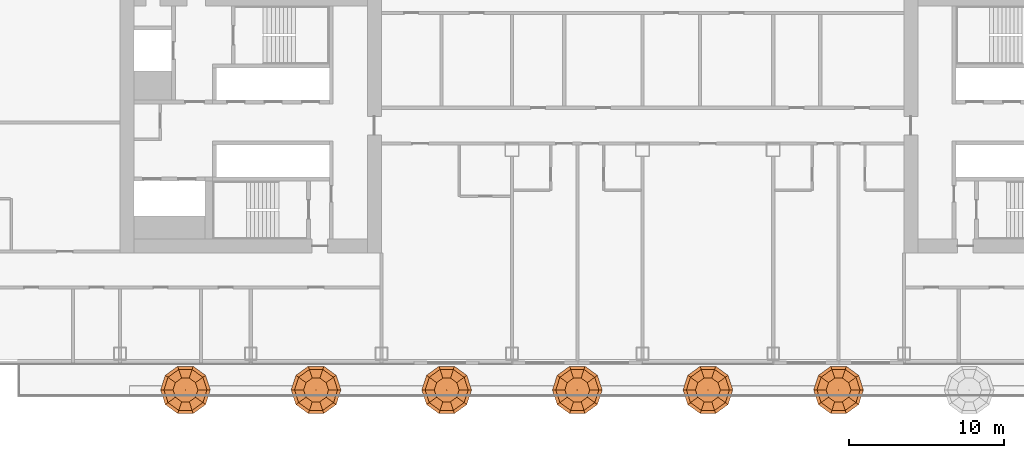
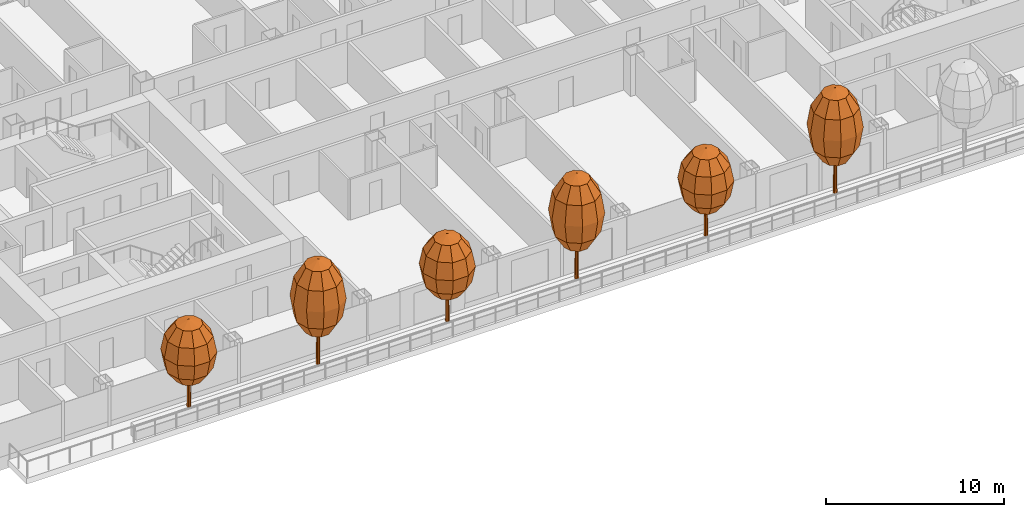
# One storey, part 31 of 33: 6 geographic elements.
"""IFC4 building model written with IfcOpenShell, lengths in metres."""

import ifcopenshell
import ifcopenshell.guid

model = None  # the IFC model being written
_history = None  # IfcOwnerHistory: only IFC2X3 demands one
_inside = {}  # id of a spatial element -> (the spatial element, [elements in it])
_under = {}  # id of a project, library or spatial element -> (it, [spatial elements below it])
_declared = {}  # id of a project -> (the project, [libraries it declares])
_typed = {}  # id of a type object -> (the type object, [elements of that type])
_made_of = {}  # id of a material, layer set ... -> (it, [elements and type objects made of it])


def new_model(schema):
    """Start an empty IFC model of exactly this schema.

    Asked for "IFC4X3", IfcOpenShell would pick the latest addendum, in which some entities
    have other attributes; the version numbers below select the first issue.
    IFC2X3 requires an IfcOwnerHistory on every rooted entity: one is made here for all.
    """
    global model, _history
    if schema == "IFC4X3":
        model = ifcopenshell.file(schema_version=(4, 3, 0, 0))
    else:
        model = ifcopenshell.file(schema=schema)
    _inside.clear()
    _under.clear()
    _declared.clear()
    _typed.clear()
    _made_of.clear()
    _history = None
    if model.schema == "IFC2X3":
        org = make("IfcOrganization", Name="unknown")
        user = make(
            "IfcPersonAndOrganization",
            ThePerson=make("IfcPerson", FamilyName="unknown"),
            TheOrganization=org,
        )
        app = make(
            "IfcApplication",
            ApplicationDeveloper=org,
            Version="unknown",
            ApplicationFullName="unknown",
            ApplicationIdentifier="unknown",
        )
        _history = make(
            "IfcOwnerHistory",
            OwningUser=user,
            OwningApplication=app,
            ChangeAction="ADDED",
            CreationDate=0,
        )
    return model


def make(cls, **values):
    """One entity of the class cls with the attributes given. An attribute that is None is left unset."""
    return model.create_entity(
        cls, **{name: value for name, value in values.items() if value is not None}
    )


def rooted(cls, **values):
    """An entity with a GlobalId (a new one), such as an element, a storey or a relation."""
    return make(cls, GlobalId=ifcopenshell.guid.new(), OwnerHistory=_history, **values)


def si_unit(unit_type, name, prefix=None):
    """IfcSIUnit, for example si_unit("LENGTHUNIT", "METRE", prefix="MILLI")."""
    return make("IfcSIUnit", UnitType=unit_type, Prefix=prefix, Name=name)


def assignment(units):
    """IfcUnitAssignment: the units of a project."""
    return None if units is None else make("IfcUnitAssignment", Units=units)


def point(xyz):
    """IfcCartesianPoint."""
    return None if xyz is None else make("IfcCartesianPoint", Coordinates=xyz)


def direction(xyz):
    """IfcDirection."""
    return None if xyz is None else make("IfcDirection", DirectionRatios=xyz)


def frame(location, z_axis=None, x_axis=None):
    """IfcAxis2Placement3D, a coordinate frame: its origin and axes. An axis left out is left unset."""
    return make(
        "IfcAxis2Placement3D",
        Location=point(location),
        Axis=direction(z_axis),
        RefDirection=direction(x_axis),
    )


def origin():
    """The frame at (0, 0, 0) with its axes left unset."""
    return frame((0.0, 0.0, 0.0))


def place(relative_to, where):
    """IfcLocalPlacement: puts the frame where relative to a parent placement (None: the world)."""
    return make(
        "IfcLocalPlacement", PlacementRelTo=relative_to, RelativePlacement=where
    )


def context(
    kind, dimensions, precision=None, world=None, true_north=None, identifier=None
):
    """IfcGeometricRepresentationContext, for example the 3D "Model" context."""
    return make(
        "IfcGeometricRepresentationContext",
        ContextIdentifier=identifier,
        ContextType=kind,
        CoordinateSpaceDimension=dimensions,
        Precision=precision,
        WorldCoordinateSystem=world,
        TrueNorth=true_north,
    )


def subcontext(parent, identifier, kind, view, scale=None):
    """IfcGeometricRepresentationSubContext, for example "Body" below "Model"."""
    return make(
        "IfcGeometricRepresentationSubContext",
        ContextIdentifier=identifier,
        ContextType=kind,
        ParentContext=parent,
        TargetScale=scale,
        TargetView=view,
    )


def project(units=None, contexts=None):
    """IfcProject with its units and contexts."""
    return rooted(
        "IfcProject",
        Name="project",
        RepresentationContexts=contexts,
        UnitsInContext=assignment(units),
    )


def spatial(cls, under=None, at=None, **own):
    """A site, building, storey or space (cls), placed at a placement, below another one or the project."""
    s = rooted(cls, ObjectPlacement=at, **own)
    if under is not None:
        _under.setdefault(under.id(), (under, []))[1].append(s)
    return s


def point_list(points):
    """IfcCartesianPointList2D or 3D."""
    cls = (
        "IfcCartesianPointList2D" if len(points[0]) == 2 else "IfcCartesianPointList3D"
    )
    return make(cls, CoordList=points)


def triangles(points, corners, closed=None, point_numbers=None):
    """IfcTriangulatedFaceSet: each triangle names its three corners, points numbered from 1."""
    return make(
        "IfcTriangulatedFaceSet",
        Coordinates=point_list(points),
        Closed=closed,
        CoordIndex=corners,
        PnIndex=point_numbers,
    )


def shape(context_of_items, identifier, shape_type, items):
    """IfcShapeRepresentation: the items that make up one representation, for example the "Body"."""
    return make(
        "IfcShapeRepresentation",
        ContextOfItems=context_of_items,
        RepresentationIdentifier=identifier,
        RepresentationType=shape_type,
        Items=items,
    )


def material(Name=None, Category=None):
    """IfcMaterial."""
    return make("IfcMaterial", Name=Name, Category=Category)


def made_of(thing, what):
    """Note that an element or type object is made of a material, layer set ...; save() writes the relation."""
    if what is not None:
        _made_of.setdefault(what.id(), (what, []))[1].append(thing)
    return thing


def type_object(cls, material=None, **own):
    """A type object (cls), such as IfcWallType, which elements share."""
    return made_of(rooted(cls, **own), material)


def element(
    cls,
    number,
    at=None,
    inside=None,
    cuts=None,
    type_object=None,
    material=None,
    context=None,
    identifier="Body",
    shape_type=None,
    held_by="IfcProductDefinitionShape",
    body=None,
    shapes=None,
    **own,
):
    """One element of the class cls, such as IfcWall. Its Tag is "e" and its number.

    at: its placement. inside: the storey or other place that contains it. cuts: it is an
    opening in that element (IfcRelVoidsElement). A single representation is given by context,
    identifier, shape_type and body (its items); several are given by shapes. held_by: the class
    of the entity that holds the representations. save() writes the other relations.
    """
    e = rooted(cls, Tag="e%d" % number, ObjectPlacement=at, **own)
    if body is not None:
        shapes = [shape(context, identifier, shape_type, body)]
    if shapes is not None:
        e.Representation = make(held_by, Representations=shapes)
    if inside is not None:
        _inside.setdefault(inside.id(), (inside, []))[1].append(e)
    if cuts is not None:
        rooted(
            "IfcRelVoidsElement", RelatingBuildingElement=cuts, RelatedOpeningElement=e
        )
    if type_object is not None:
        _typed.setdefault(type_object.id(), (type_object, []))[1].append(e)
    return made_of(e, material)


def aggregate(whole, parts):
    """IfcRelAggregates: a whole, such as a stair, and the parts it consists of."""
    return rooted("IfcRelAggregates", RelatingObject=whole, RelatedObjects=parts)


def save(model, path):
    """Write the relations noted so far, then the file.

    IfcRelAggregates (storeys below a building ...), IfcRelContainedInSpatialStructure (elements
    in a storey), IfcRelDefinesByType, IfcRelAssociatesMaterial and IfcRelDeclares: one each for
    every whole, place, type object, material and project.
    """
    for whole, parts in _under.values():
        aggregate(whole, parts)
    for where, things in _inside.values():
        rooted(
            "IfcRelContainedInSpatialStructure",
            RelatedElements=things,
            RelatingStructure=where,
        )
    for kind, things in _typed.values():
        rooted("IfcRelDefinesByType", RelatedObjects=things, RelatingType=kind)
    for what, things in _made_of.values():
        rooted("IfcRelAssociatesMaterial", RelatedObjects=things, RelatingMaterial=what)
    for by, libraries in _declared.values():
        rooted("IfcRelDeclares", RelatingContext=by, RelatedDefinitions=libraries)
    model.write(path)


model = new_model("IFC4")

# Units and contexts
model_context = context("Model", 3, precision=1e-05, world=origin(), true_north=direction((0.0, 1.0)))
body_context = subcontext(model_context, "Body", "Model", "MODEL_VIEW")
ifc_project = project(units=[si_unit("LENGTHUNIT", "METRE"), si_unit("AREAUNIT", "SQUARE_METRE"), si_unit("VOLUMEUNIT", "CUBIC_METRE"), si_unit("PLANEANGLEUNIT", "RADIAN"), si_unit("MASSUNIT", "GRAM", prefix="KILO")], contexts=[model_context])

# Site, building, storey
site_placement = place(None, origin())
site = spatial("IfcSite", under=ifc_project, at=site_placement, CompositionType="ELEMENT")
building_placement = place(site_placement, origin())
building = spatial("IfcBuilding", under=site, at=building_placement, Name="Hakoniwa Tower and Hamabe Station Hall", CompositionType="ELEMENT")
storey_placement = place(building_placement, frame((0.0, 0.0, 81.800048828125)))
storey = spatial("IfcBuildingStorey", under=building, at=storey_placement, Name="L22", CompositionType="ELEMENT", Elevation=81.800048828125)

# Geographic elements
ifc_material_1 = material(Name="Tree foliage")
geographic_element_type_1 = type_object("IfcGeographicElementType", Name="Japanese maple 7.2 m", PredefinedType="USERDEFINED", material=ifc_material_1)
geographic_element_1_placement = place(storey_placement, frame((-21.0, -17.199951171875, 0.89990234375)))
element("IfcGeographicElement", 1, at=geographic_element_1_placement, inside=storey, type_object=geographic_element_type_1, Name="Japanese maple 7-2 m", ObjectType="TREE", PredefinedType="USERDEFINED", context=body_context, shape_type="Tessellation", body=[
    triangles([(0.125, 0.0, 0.0), (0.08837890625, 0.08837890625, 0.0), (0.0, 0.125, 0.0), (-0.08837890625, 0.08837890625, 0.0), (-0.125, 0.0, 0.0), (-0.08837890625, -0.08837890625, 0.0), (0.0, -0.125, 0.0), (0.08837890625, -0.08837890625, 0.0), (0.074951171875, 0.0, 4.348876953125), (0.052978515625, 0.052978515625, 4.348876953125), (0.0, 0.074951171875, 4.348876953125), (-0.052978515625, 0.052978515625, 4.348876953125), (-0.074951171875, 0.0, 4.348876953125), (-0.052978515625, -0.052978515625, 4.348876953125), (0.0, -0.074951171875, 4.348876953125), (0.052978515625, -0.052978515625, 4.348876953125), (0.0, 0.0, 0.0), (0.0, 0.0, 4.348876953125)], [[1, 2, 10], [1, 10, 9], [17, 2, 1], [18, 9, 10], [2, 3, 11], [2, 11, 10], [17, 3, 2], [18, 10, 11], [3, 4, 12], [3, 12, 11], [17, 4, 3], [18, 11, 12], [4, 5, 13], [4, 13, 12], [17, 5, 4], [18, 12, 13], [5, 6, 14], [5, 14, 13], [17, 6, 5], [18, 13, 14], [6, 7, 15], [6, 15, 14], [17, 7, 6], [18, 14, 15], [7, 8, 16], [7, 16, 15], [17, 8, 7], [18, 15, 16], [8, 1, 9], [8, 9, 16], [17, 1, 8], [18, 16, 9]], closed=True),
    triangles([(0.0, 0.0, 2.015869140625), (0.800048828125, 0.0, 2.36328125), (0.647216796875, 0.47021484375, 2.36328125), (0.247314453125, 0.7607421875, 2.36328125), (-0.247314453125, 0.7607421875, 2.36328125), (-0.647216796875, 0.47021484375, 2.36328125), (-0.800048828125, 0.0, 2.36328125), (-0.647216796875, -0.47021484375, 2.36328125), (-0.247314453125, -0.7607421875, 2.36328125), (0.247314453125, -0.7607421875, 2.36328125), (0.647216796875, -0.47021484375, 2.36328125), (1.385498046875, 0.0, 3.31201171875), (1.12109375, 0.814453125, 3.31201171875), (0.42822265625, 1.31787109375, 3.31201171875), (-0.42822265625, 1.31787109375, 3.31201171875), (-1.12109375, 0.814453125, 3.31201171875), (-1.385498046875, 0.0, 3.31201171875), (-1.12109375, -0.814453125, 3.31201171875), (-0.42822265625, -1.31787109375, 3.31201171875), (0.42822265625, -1.31787109375, 3.31201171875), (1.12109375, -0.814453125, 3.31201171875), (1.60009765625, 0.0, 4.60791015625), (1.29443359375, 0.9404296875, 4.60791015625), (0.494384765625, 1.521728515625, 4.60791015625), (-0.494384765625, 1.521728515625, 4.60791015625), (-1.29443359375, 0.9404296875, 4.60791015625), (-1.60009765625, 0.0, 4.60791015625), (-1.29443359375, -0.9404296875, 4.60791015625), (-0.494384765625, -1.521728515625, 4.60791015625), (0.494384765625, -1.521728515625, 4.60791015625), (1.29443359375, -0.9404296875, 4.60791015625), (1.385498046875, 0.0, 5.904052734375), (1.12109375, 0.814453125, 5.904052734375), (0.42822265625, 1.31787109375, 5.904052734375), (-0.42822265625, 1.31787109375, 5.904052734375), (-1.12109375, 0.814453125, 5.904052734375), (-1.385498046875, 0.0, 5.904052734375), (-1.12109375, -0.814453125, 5.904052734375), (-0.42822265625, -1.31787109375, 5.904052734375), (0.42822265625, -1.31787109375, 5.904052734375), (1.12109375, -0.814453125, 5.904052734375), (0.800048828125, 0.0, 6.852783203125), (0.647216796875, 0.47021484375, 6.852783203125), (0.247314453125, 0.7607421875, 6.852783203125), (-0.247314453125, 0.7607421875, 6.852783203125), (-0.647216796875, 0.47021484375, 6.852783203125), (-0.800048828125, 0.0, 6.852783203125), (-0.647216796875, -0.47021484375, 6.852783203125), (-0.247314453125, -0.7607421875, 6.852783203125), (0.247314453125, -0.7607421875, 6.852783203125), (0.647216796875, -0.47021484375, 6.852783203125), (0.0, 0.0, 7.199951171875)], [[1, 3, 2], [1, 4, 3], [1, 5, 4], [1, 6, 5], [1, 7, 6], [1, 8, 7], [1, 9, 8], [1, 10, 9], [1, 11, 10], [1, 2, 11], [2, 3, 13], [2, 13, 12], [3, 4, 14], [3, 14, 13], [4, 5, 15], [4, 15, 14], [5, 6, 16], [5, 16, 15], [6, 7, 17], [6, 17, 16], [7, 8, 18], [7, 18, 17], [8, 9, 19], [8, 19, 18], [9, 10, 20], [9, 20, 19], [10, 11, 21], [10, 21, 20], [11, 2, 12], [11, 12, 21], [12, 13, 23], [12, 23, 22], [13, 14, 24], [13, 24, 23], [14, 15, 25], [14, 25, 24], [15, 16, 26], [15, 26, 25], [16, 17, 27], [16, 27, 26], [17, 18, 28], [17, 28, 27], [18, 19, 29], [18, 29, 28], [19, 20, 30], [19, 30, 29], [20, 21, 31], [20, 31, 30], [21, 12, 22], [21, 22, 31], [22, 23, 33], [22, 33, 32], [23, 24, 34], [23, 34, 33], [24, 25, 35], [24, 35, 34], [25, 26, 36], [25, 36, 35], [26, 27, 37], [26, 37, 36], [27, 28, 38], [27, 38, 37], [28, 29, 39], [28, 39, 38], [29, 30, 40], [29, 40, 39], [30, 31, 41], [30, 41, 40], [31, 22, 32], [31, 32, 41], [32, 33, 43], [32, 43, 42], [33, 34, 44], [33, 44, 43], [34, 35, 45], [34, 45, 44], [35, 36, 46], [35, 46, 45], [36, 37, 47], [36, 47, 46], [37, 38, 48], [37, 48, 47], [38, 39, 49], [38, 49, 48], [39, 40, 50], [39, 50, 49], [40, 41, 51], [40, 51, 50], [41, 32, 42], [41, 42, 51], [52, 42, 43], [52, 43, 44], [52, 44, 45], [52, 45, 46], [52, 46, 47], [52, 47, 48], [52, 48, 49], [52, 49, 50], [52, 50, 51], [52, 51, 42]], closed=True),
])
geographic_element_2_placement = place(storey_placement, frame((-4.199951171875, -17.199951171875, 0.89990234375)))
element("IfcGeographicElement", 2, at=geographic_element_2_placement, inside=storey, type_object=geographic_element_type_1, Name="Japanese maple 7-2 m", ObjectType="TREE", PredefinedType="USERDEFINED", context=body_context, shape_type="Tessellation", body=[
    triangles([(0.125, 0.0, 0.0), (0.08837890625, 0.08837890625, 0.0), (0.0, 0.125, 0.0), (-0.08837890625, 0.08837890625, 0.0), (-0.125, 0.0, 0.0), (-0.08837890625, -0.08837890625, 0.0), (0.0, -0.125, 0.0), (0.08837890625, -0.08837890625, 0.0), (0.074951171875, 0.0, 4.348876953125), (0.052978515625, 0.052978515625, 4.348876953125), (0.0, 0.074951171875, 4.348876953125), (-0.052978515625, 0.052978515625, 4.348876953125), (-0.074951171875, 0.0, 4.348876953125), (-0.052978515625, -0.052978515625, 4.348876953125), (0.0, -0.074951171875, 4.348876953125), (0.052978515625, -0.052978515625, 4.348876953125), (0.0, 0.0, 0.0), (0.0, 0.0, 4.348876953125)], [[1, 2, 10], [1, 10, 9], [17, 2, 1], [18, 9, 10], [2, 3, 11], [2, 11, 10], [17, 3, 2], [18, 10, 11], [3, 4, 12], [3, 12, 11], [17, 4, 3], [18, 11, 12], [4, 5, 13], [4, 13, 12], [17, 5, 4], [18, 12, 13], [5, 6, 14], [5, 14, 13], [17, 6, 5], [18, 13, 14], [6, 7, 15], [6, 15, 14], [17, 7, 6], [18, 14, 15], [7, 8, 16], [7, 16, 15], [17, 8, 7], [18, 15, 16], [8, 1, 9], [8, 9, 16], [17, 1, 8], [18, 16, 9]], closed=True),
    triangles([(0.0, 0.0, 2.015869140625), (0.800048828125, 0.0, 2.36328125), (0.647216796875, 0.47021484375, 2.36328125), (0.247314453125, 0.7607421875, 2.36328125), (-0.247314453125, 0.7607421875, 2.36328125), (-0.647216796875, 0.47021484375, 2.36328125), (-0.800048828125, 0.0, 2.36328125), (-0.647216796875, -0.47021484375, 2.36328125), (-0.247314453125, -0.7607421875, 2.36328125), (0.247314453125, -0.7607421875, 2.36328125), (0.647216796875, -0.47021484375, 2.36328125), (1.385498046875, 0.0, 3.31201171875), (1.12109375, 0.814453125, 3.31201171875), (0.42822265625, 1.31787109375, 3.31201171875), (-0.42822265625, 1.31787109375, 3.31201171875), (-1.12109375, 0.814453125, 3.31201171875), (-1.385498046875, 0.0, 3.31201171875), (-1.12109375, -0.814453125, 3.31201171875), (-0.42822265625, -1.31787109375, 3.31201171875), (0.42822265625, -1.31787109375, 3.31201171875), (1.12109375, -0.814453125, 3.31201171875), (1.60009765625, 0.0, 4.60791015625), (1.29443359375, 0.9404296875, 4.60791015625), (0.494384765625, 1.521728515625, 4.60791015625), (-0.494384765625, 1.521728515625, 4.60791015625), (-1.29443359375, 0.9404296875, 4.60791015625), (-1.60009765625, 0.0, 4.60791015625), (-1.29443359375, -0.9404296875, 4.60791015625), (-0.494384765625, -1.521728515625, 4.60791015625), (0.494384765625, -1.521728515625, 4.60791015625), (1.29443359375, -0.9404296875, 4.60791015625), (1.385498046875, 0.0, 5.904052734375), (1.12109375, 0.814453125, 5.904052734375), (0.42822265625, 1.31787109375, 5.904052734375), (-0.42822265625, 1.31787109375, 5.904052734375), (-1.12109375, 0.814453125, 5.904052734375), (-1.385498046875, 0.0, 5.904052734375), (-1.12109375, -0.814453125, 5.904052734375), (-0.42822265625, -1.31787109375, 5.904052734375), (0.42822265625, -1.31787109375, 5.904052734375), (1.12109375, -0.814453125, 5.904052734375), (0.800048828125, 0.0, 6.852783203125), (0.647216796875, 0.47021484375, 6.852783203125), (0.247314453125, 0.7607421875, 6.852783203125), (-0.247314453125, 0.7607421875, 6.852783203125), (-0.647216796875, 0.47021484375, 6.852783203125), (-0.800048828125, 0.0, 6.852783203125), (-0.647216796875, -0.47021484375, 6.852783203125), (-0.247314453125, -0.7607421875, 6.852783203125), (0.247314453125, -0.7607421875, 6.852783203125), (0.647216796875, -0.47021484375, 6.852783203125), (0.0, 0.0, 7.199951171875)], [[1, 3, 2], [1, 4, 3], [1, 5, 4], [1, 6, 5], [1, 7, 6], [1, 8, 7], [1, 9, 8], [1, 10, 9], [1, 11, 10], [1, 2, 11], [2, 3, 13], [2, 13, 12], [3, 4, 14], [3, 14, 13], [4, 5, 15], [4, 15, 14], [5, 6, 16], [5, 16, 15], [6, 7, 17], [6, 17, 16], [7, 8, 18], [7, 18, 17], [8, 9, 19], [8, 19, 18], [9, 10, 20], [9, 20, 19], [10, 11, 21], [10, 21, 20], [11, 2, 12], [11, 12, 21], [12, 13, 23], [12, 23, 22], [13, 14, 24], [13, 24, 23], [14, 15, 25], [14, 25, 24], [15, 16, 26], [15, 26, 25], [16, 17, 27], [16, 27, 26], [17, 18, 28], [17, 28, 27], [18, 19, 29], [18, 29, 28], [19, 20, 30], [19, 30, 29], [20, 21, 31], [20, 31, 30], [21, 12, 22], [21, 22, 31], [22, 23, 33], [22, 33, 32], [23, 24, 34], [23, 34, 33], [24, 25, 35], [24, 35, 34], [25, 26, 36], [25, 36, 35], [26, 27, 37], [26, 37, 36], [27, 28, 38], [27, 38, 37], [28, 29, 39], [28, 39, 38], [29, 30, 40], [29, 40, 39], [30, 31, 41], [30, 41, 40], [31, 22, 32], [31, 32, 41], [32, 33, 43], [32, 43, 42], [33, 34, 44], [33, 44, 43], [34, 35, 45], [34, 45, 44], [35, 36, 46], [35, 46, 45], [36, 37, 47], [36, 47, 46], [37, 38, 48], [37, 48, 47], [38, 39, 49], [38, 49, 48], [39, 40, 50], [39, 50, 49], [40, 41, 51], [40, 51, 50], [41, 32, 42], [41, 42, 51], [52, 42, 43], [52, 43, 44], [52, 44, 45], [52, 45, 46], [52, 46, 47], [52, 47, 48], [52, 48, 49], [52, 49, 50], [52, 50, 51], [52, 51, 42]], closed=True),
])
geographic_element_3_placement = place(storey_placement, frame((12.60009765625, -17.199951171875, 0.89990234375)))
element("IfcGeographicElement", 3, at=geographic_element_3_placement, inside=storey, type_object=geographic_element_type_1, Name="Japanese maple 7-2 m", ObjectType="TREE", PredefinedType="USERDEFINED", context=body_context, shape_type="Tessellation", body=[
    triangles([(0.125, 0.0, 0.0), (0.08837890625, 0.08837890625, 0.0), (0.0, 0.125, 0.0), (-0.08837890625, 0.08837890625, 0.0), (-0.125, 0.0, 0.0), (-0.08837890625, -0.08837890625, 0.0), (0.0, -0.125, 0.0), (0.08837890625, -0.08837890625, 0.0), (0.074951171875, 0.0, 4.348876953125), (0.052978515625, 0.052978515625, 4.348876953125), (0.0, 0.074951171875, 4.348876953125), (-0.052978515625, 0.052978515625, 4.348876953125), (-0.074951171875, 0.0, 4.348876953125), (-0.052978515625, -0.052978515625, 4.348876953125), (0.0, -0.074951171875, 4.348876953125), (0.052978515625, -0.052978515625, 4.348876953125), (0.0, 0.0, 0.0), (0.0, 0.0, 4.348876953125)], [[1, 2, 10], [1, 10, 9], [17, 2, 1], [18, 9, 10], [2, 3, 11], [2, 11, 10], [17, 3, 2], [18, 10, 11], [3, 4, 12], [3, 12, 11], [17, 4, 3], [18, 11, 12], [4, 5, 13], [4, 13, 12], [17, 5, 4], [18, 12, 13], [5, 6, 14], [5, 14, 13], [17, 6, 5], [18, 13, 14], [6, 7, 15], [6, 15, 14], [17, 7, 6], [18, 14, 15], [7, 8, 16], [7, 16, 15], [17, 8, 7], [18, 15, 16], [8, 1, 9], [8, 9, 16], [17, 1, 8], [18, 16, 9]], closed=True),
    triangles([(0.0, 0.0, 2.015869140625), (0.800048828125, 0.0, 2.36328125), (0.647216796875, 0.47021484375, 2.36328125), (0.247314453125, 0.7607421875, 2.36328125), (-0.247314453125, 0.7607421875, 2.36328125), (-0.647216796875, 0.47021484375, 2.36328125), (-0.800048828125, 0.0, 2.36328125), (-0.647216796875, -0.47021484375, 2.36328125), (-0.247314453125, -0.7607421875, 2.36328125), (0.247314453125, -0.7607421875, 2.36328125), (0.647216796875, -0.47021484375, 2.36328125), (1.385498046875, 0.0, 3.31201171875), (1.12109375, 0.814453125, 3.31201171875), (0.42822265625, 1.31787109375, 3.31201171875), (-0.42822265625, 1.31787109375, 3.31201171875), (-1.12109375, 0.814453125, 3.31201171875), (-1.385498046875, 0.0, 3.31201171875), (-1.12109375, -0.814453125, 3.31201171875), (-0.42822265625, -1.31787109375, 3.31201171875), (0.42822265625, -1.31787109375, 3.31201171875), (1.12109375, -0.814453125, 3.31201171875), (1.60009765625, 0.0, 4.60791015625), (1.29443359375, 0.9404296875, 4.60791015625), (0.494384765625, 1.521728515625, 4.60791015625), (-0.494384765625, 1.521728515625, 4.60791015625), (-1.29443359375, 0.9404296875, 4.60791015625), (-1.60009765625, 0.0, 4.60791015625), (-1.29443359375, -0.9404296875, 4.60791015625), (-0.494384765625, -1.521728515625, 4.60791015625), (0.494384765625, -1.521728515625, 4.60791015625), (1.29443359375, -0.9404296875, 4.60791015625), (1.385498046875, 0.0, 5.904052734375), (1.12109375, 0.814453125, 5.904052734375), (0.42822265625, 1.31787109375, 5.904052734375), (-0.42822265625, 1.31787109375, 5.904052734375), (-1.12109375, 0.814453125, 5.904052734375), (-1.385498046875, 0.0, 5.904052734375), (-1.12109375, -0.814453125, 5.904052734375), (-0.42822265625, -1.31787109375, 5.904052734375), (0.42822265625, -1.31787109375, 5.904052734375), (1.12109375, -0.814453125, 5.904052734375), (0.800048828125, 0.0, 6.852783203125), (0.647216796875, 0.47021484375, 6.852783203125), (0.247314453125, 0.7607421875, 6.852783203125), (-0.247314453125, 0.7607421875, 6.852783203125), (-0.647216796875, 0.47021484375, 6.852783203125), (-0.800048828125, 0.0, 6.852783203125), (-0.647216796875, -0.47021484375, 6.852783203125), (-0.247314453125, -0.7607421875, 6.852783203125), (0.247314453125, -0.7607421875, 6.852783203125), (0.647216796875, -0.47021484375, 6.852783203125), (0.0, 0.0, 7.199951171875)], [[1, 3, 2], [1, 4, 3], [1, 5, 4], [1, 6, 5], [1, 7, 6], [1, 8, 7], [1, 9, 8], [1, 10, 9], [1, 11, 10], [1, 2, 11], [2, 3, 13], [2, 13, 12], [3, 4, 14], [3, 14, 13], [4, 5, 15], [4, 15, 14], [5, 6, 16], [5, 16, 15], [6, 7, 17], [6, 17, 16], [7, 8, 18], [7, 18, 17], [8, 9, 19], [8, 19, 18], [9, 10, 20], [9, 20, 19], [10, 11, 21], [10, 21, 20], [11, 2, 12], [11, 12, 21], [12, 13, 23], [12, 23, 22], [13, 14, 24], [13, 24, 23], [14, 15, 25], [14, 25, 24], [15, 16, 26], [15, 26, 25], [16, 17, 27], [16, 27, 26], [17, 18, 28], [17, 28, 27], [18, 19, 29], [18, 29, 28], [19, 20, 30], [19, 30, 29], [20, 21, 31], [20, 31, 30], [21, 12, 22], [21, 22, 31], [22, 23, 33], [22, 33, 32], [23, 24, 34], [23, 34, 33], [24, 25, 35], [24, 35, 34], [25, 26, 36], [25, 36, 35], [26, 27, 37], [26, 37, 36], [27, 28, 38], [27, 38, 37], [28, 29, 39], [28, 39, 38], [29, 30, 40], [29, 40, 39], [30, 31, 41], [30, 41, 40], [31, 22, 32], [31, 32, 41], [32, 33, 43], [32, 43, 42], [33, 34, 44], [33, 44, 43], [34, 35, 45], [34, 45, 44], [35, 36, 46], [35, 46, 45], [36, 37, 47], [36, 47, 46], [37, 38, 48], [37, 48, 47], [38, 39, 49], [38, 49, 48], [39, 40, 50], [39, 50, 49], [40, 41, 51], [40, 51, 50], [41, 32, 42], [41, 42, 51], [52, 42, 43], [52, 43, 44], [52, 44, 45], [52, 45, 46], [52, 46, 47], [52, 47, 48], [52, 48, 49], [52, 49, 50], [52, 50, 51], [52, 51, 42]], closed=True),
])
ifc_material_2 = material(Name="Tree foliage")
geographic_element_type_2 = type_object("IfcGeographicElementType", Name="Osmanthus 6.0 m", PredefinedType="USERDEFINED", material=ifc_material_2)
geographic_element_4_placement = place(storey_placement, frame((-29.39990234375, -17.199951171875, 0.89990234375)))
element("IfcGeographicElement", 4, at=geographic_element_4_placement, inside=storey, type_object=geographic_element_type_2, Name="Osmanthus 6-0 m", ObjectType="TREE", PredefinedType="USERDEFINED", context=body_context, shape_type="Tessellation", body=[
    triangles([(0.125, 0.0, 0.0), (0.08837890625, 0.08837890625, 0.0), (0.0, 0.125, 0.0), (-0.08837890625, 0.08837890625, 0.0), (-0.125, 0.0, 0.0), (-0.08837890625, -0.08837890625, 0.0), (0.0, -0.125, 0.0), (0.08837890625, -0.08837890625, 0.0), (0.074951171875, 0.0, 3.6240234375), (0.052978515625, 0.052978515625, 3.6240234375), (0.0, 0.074951171875, 3.6240234375), (-0.052978515625, 0.052978515625, 3.6240234375), (-0.074951171875, 0.0, 3.6240234375), (-0.052978515625, -0.052978515625, 3.6240234375), (0.0, -0.074951171875, 3.6240234375), (0.052978515625, -0.052978515625, 3.6240234375), (0.0, 0.0, 0.0), (0.0, 0.0, 3.6240234375)], [[1, 2, 10], [1, 10, 9], [17, 2, 1], [18, 9, 10], [2, 3, 11], [2, 11, 10], [17, 3, 2], [18, 10, 11], [3, 4, 12], [3, 12, 11], [17, 4, 3], [18, 11, 12], [4, 5, 13], [4, 13, 12], [17, 5, 4], [18, 12, 13], [5, 6, 14], [5, 14, 13], [17, 6, 5], [18, 13, 14], [6, 7, 15], [6, 15, 14], [17, 7, 6], [18, 14, 15], [7, 8, 16], [7, 16, 15], [17, 8, 7], [18, 15, 16], [8, 1, 9], [8, 9, 16], [17, 1, 8], [18, 16, 9]], closed=True),
    triangles([(0.0, 0.0, 1.679931640625), (0.800048828125, 0.0, 1.969482421875), (0.647216796875, 0.47021484375, 1.969482421875), (0.247314453125, 0.7607421875, 1.969482421875), (-0.247314453125, 0.7607421875, 1.969482421875), (-0.647216796875, 0.47021484375, 1.969482421875), (-0.800048828125, 0.0, 1.969482421875), (-0.647216796875, -0.47021484375, 1.969482421875), (-0.247314453125, -0.7607421875, 1.969482421875), (0.247314453125, -0.7607421875, 1.969482421875), (0.647216796875, -0.47021484375, 1.969482421875), (1.385498046875, 0.0, 2.760009765625), (1.12109375, 0.814453125, 2.760009765625), (0.42822265625, 1.31787109375, 2.760009765625), (-0.42822265625, 1.31787109375, 2.760009765625), (-1.12109375, 0.814453125, 2.760009765625), (-1.385498046875, 0.0, 2.760009765625), (-1.12109375, -0.814453125, 2.760009765625), (-0.42822265625, -1.31787109375, 2.760009765625), (0.42822265625, -1.31787109375, 2.760009765625), (1.12109375, -0.814453125, 2.760009765625), (1.60009765625, 0.0, 3.840087890625), (1.29443359375, 0.9404296875, 3.840087890625), (0.494384765625, 1.521728515625, 3.840087890625), (-0.494384765625, 1.521728515625, 3.840087890625), (-1.29443359375, 0.9404296875, 3.840087890625), (-1.60009765625, 0.0, 3.840087890625), (-1.29443359375, -0.9404296875, 3.840087890625), (-0.494384765625, -1.521728515625, 3.840087890625), (0.494384765625, -1.521728515625, 3.840087890625), (1.29443359375, -0.9404296875, 3.840087890625), (1.385498046875, 0.0, 4.919921875), (1.12109375, 0.814453125, 4.919921875), (0.42822265625, 1.31787109375, 4.919921875), (-0.42822265625, 1.31787109375, 4.919921875), (-1.12109375, 0.814453125, 4.919921875), (-1.385498046875, 0.0, 4.919921875), (-1.12109375, -0.814453125, 4.919921875), (-0.42822265625, -1.31787109375, 4.919921875), (0.42822265625, -1.31787109375, 4.919921875), (1.12109375, -0.814453125, 4.919921875), (0.800048828125, 0.0, 5.710693359375), (0.647216796875, 0.47021484375, 5.710693359375), (0.247314453125, 0.7607421875, 5.710693359375), (-0.247314453125, 0.7607421875, 5.710693359375), (-0.647216796875, 0.47021484375, 5.710693359375), (-0.800048828125, 0.0, 5.710693359375), (-0.647216796875, -0.47021484375, 5.710693359375), (-0.247314453125, -0.7607421875, 5.710693359375), (0.247314453125, -0.7607421875, 5.710693359375), (0.647216796875, -0.47021484375, 5.710693359375), (0.0, 0.0, 6.0)], [[1, 3, 2], [1, 4, 3], [1, 5, 4], [1, 6, 5], [1, 7, 6], [1, 8, 7], [1, 9, 8], [1, 10, 9], [1, 11, 10], [1, 2, 11], [2, 3, 13], [2, 13, 12], [3, 4, 14], [3, 14, 13], [4, 5, 15], [4, 15, 14], [5, 6, 16], [5, 16, 15], [6, 7, 17], [6, 17, 16], [7, 8, 18], [7, 18, 17], [8, 9, 19], [8, 19, 18], [9, 10, 20], [9, 20, 19], [10, 11, 21], [10, 21, 20], [11, 2, 12], [11, 12, 21], [12, 13, 23], [12, 23, 22], [13, 14, 24], [13, 24, 23], [14, 15, 25], [14, 25, 24], [15, 16, 26], [15, 26, 25], [16, 17, 27], [16, 27, 26], [17, 18, 28], [17, 28, 27], [18, 19, 29], [18, 29, 28], [19, 20, 30], [19, 30, 29], [20, 21, 31], [20, 31, 30], [21, 12, 22], [21, 22, 31], [22, 23, 33], [22, 33, 32], [23, 24, 34], [23, 34, 33], [24, 25, 35], [24, 35, 34], [25, 26, 36], [25, 36, 35], [26, 27, 37], [26, 37, 36], [27, 28, 38], [27, 38, 37], [28, 29, 39], [28, 39, 38], [29, 30, 40], [29, 40, 39], [30, 31, 41], [30, 41, 40], [31, 22, 32], [31, 32, 41], [32, 33, 43], [32, 43, 42], [33, 34, 44], [33, 44, 43], [34, 35, 45], [34, 45, 44], [35, 36, 46], [35, 46, 45], [36, 37, 47], [36, 47, 46], [37, 38, 48], [37, 48, 47], [38, 39, 49], [38, 49, 48], [39, 40, 50], [39, 50, 49], [40, 41, 51], [40, 51, 50], [41, 32, 42], [41, 42, 51], [52, 42, 43], [52, 43, 44], [52, 44, 45], [52, 45, 46], [52, 46, 47], [52, 47, 48], [52, 48, 49], [52, 49, 50], [52, 50, 51], [52, 51, 42]], closed=True),
])
geographic_element_5_placement = place(storey_placement, frame((-12.60009765625, -17.199951171875, 0.89990234375)))
element("IfcGeographicElement", 5, at=geographic_element_5_placement, inside=storey, type_object=geographic_element_type_2, Name="Osmanthus 6-0 m", ObjectType="TREE", PredefinedType="USERDEFINED", context=body_context, shape_type="Tessellation", body=[
    triangles([(0.125, 0.0, 0.0), (0.08837890625, 0.08837890625, 0.0), (0.0, 0.125, 0.0), (-0.08837890625, 0.08837890625, 0.0), (-0.125, 0.0, 0.0), (-0.08837890625, -0.08837890625, 0.0), (0.0, -0.125, 0.0), (0.08837890625, -0.08837890625, 0.0), (0.074951171875, 0.0, 3.6240234375), (0.052978515625, 0.052978515625, 3.6240234375), (0.0, 0.074951171875, 3.6240234375), (-0.052978515625, 0.052978515625, 3.6240234375), (-0.074951171875, 0.0, 3.6240234375), (-0.052978515625, -0.052978515625, 3.6240234375), (0.0, -0.074951171875, 3.6240234375), (0.052978515625, -0.052978515625, 3.6240234375), (0.0, 0.0, 0.0), (0.0, 0.0, 3.6240234375)], [[1, 2, 10], [1, 10, 9], [17, 2, 1], [18, 9, 10], [2, 3, 11], [2, 11, 10], [17, 3, 2], [18, 10, 11], [3, 4, 12], [3, 12, 11], [17, 4, 3], [18, 11, 12], [4, 5, 13], [4, 13, 12], [17, 5, 4], [18, 12, 13], [5, 6, 14], [5, 14, 13], [17, 6, 5], [18, 13, 14], [6, 7, 15], [6, 15, 14], [17, 7, 6], [18, 14, 15], [7, 8, 16], [7, 16, 15], [17, 8, 7], [18, 15, 16], [8, 1, 9], [8, 9, 16], [17, 1, 8], [18, 16, 9]], closed=True),
    triangles([(0.0, 0.0, 1.679931640625), (0.800048828125, 0.0, 1.969482421875), (0.647216796875, 0.47021484375, 1.969482421875), (0.247314453125, 0.7607421875, 1.969482421875), (-0.247314453125, 0.7607421875, 1.969482421875), (-0.647216796875, 0.47021484375, 1.969482421875), (-0.800048828125, 0.0, 1.969482421875), (-0.647216796875, -0.47021484375, 1.969482421875), (-0.247314453125, -0.7607421875, 1.969482421875), (0.247314453125, -0.7607421875, 1.969482421875), (0.647216796875, -0.47021484375, 1.969482421875), (1.385498046875, 0.0, 2.760009765625), (1.12109375, 0.814453125, 2.760009765625), (0.42822265625, 1.31787109375, 2.760009765625), (-0.42822265625, 1.31787109375, 2.760009765625), (-1.12109375, 0.814453125, 2.760009765625), (-1.385498046875, 0.0, 2.760009765625), (-1.12109375, -0.814453125, 2.760009765625), (-0.42822265625, -1.31787109375, 2.760009765625), (0.42822265625, -1.31787109375, 2.760009765625), (1.12109375, -0.814453125, 2.760009765625), (1.60009765625, 0.0, 3.840087890625), (1.29443359375, 0.9404296875, 3.840087890625), (0.494384765625, 1.521728515625, 3.840087890625), (-0.494384765625, 1.521728515625, 3.840087890625), (-1.29443359375, 0.9404296875, 3.840087890625), (-1.60009765625, 0.0, 3.840087890625), (-1.29443359375, -0.9404296875, 3.840087890625), (-0.494384765625, -1.521728515625, 3.840087890625), (0.494384765625, -1.521728515625, 3.840087890625), (1.29443359375, -0.9404296875, 3.840087890625), (1.385498046875, 0.0, 4.919921875), (1.12109375, 0.814453125, 4.919921875), (0.42822265625, 1.31787109375, 4.919921875), (-0.42822265625, 1.31787109375, 4.919921875), (-1.12109375, 0.814453125, 4.919921875), (-1.385498046875, 0.0, 4.919921875), (-1.12109375, -0.814453125, 4.919921875), (-0.42822265625, -1.31787109375, 4.919921875), (0.42822265625, -1.31787109375, 4.919921875), (1.12109375, -0.814453125, 4.919921875), (0.800048828125, 0.0, 5.710693359375), (0.647216796875, 0.47021484375, 5.710693359375), (0.247314453125, 0.7607421875, 5.710693359375), (-0.247314453125, 0.7607421875, 5.710693359375), (-0.647216796875, 0.47021484375, 5.710693359375), (-0.800048828125, 0.0, 5.710693359375), (-0.647216796875, -0.47021484375, 5.710693359375), (-0.247314453125, -0.7607421875, 5.710693359375), (0.247314453125, -0.7607421875, 5.710693359375), (0.647216796875, -0.47021484375, 5.710693359375), (0.0, 0.0, 6.0)], [[1, 3, 2], [1, 4, 3], [1, 5, 4], [1, 6, 5], [1, 7, 6], [1, 8, 7], [1, 9, 8], [1, 10, 9], [1, 11, 10], [1, 2, 11], [2, 3, 13], [2, 13, 12], [3, 4, 14], [3, 14, 13], [4, 5, 15], [4, 15, 14], [5, 6, 16], [5, 16, 15], [6, 7, 17], [6, 17, 16], [7, 8, 18], [7, 18, 17], [8, 9, 19], [8, 19, 18], [9, 10, 20], [9, 20, 19], [10, 11, 21], [10, 21, 20], [11, 2, 12], [11, 12, 21], [12, 13, 23], [12, 23, 22], [13, 14, 24], [13, 24, 23], [14, 15, 25], [14, 25, 24], [15, 16, 26], [15, 26, 25], [16, 17, 27], [16, 27, 26], [17, 18, 28], [17, 28, 27], [18, 19, 29], [18, 29, 28], [19, 20, 30], [19, 30, 29], [20, 21, 31], [20, 31, 30], [21, 12, 22], [21, 22, 31], [22, 23, 33], [22, 33, 32], [23, 24, 34], [23, 34, 33], [24, 25, 35], [24, 35, 34], [25, 26, 36], [25, 36, 35], [26, 27, 37], [26, 37, 36], [27, 28, 38], [27, 38, 37], [28, 29, 39], [28, 39, 38], [29, 30, 40], [29, 40, 39], [30, 31, 41], [30, 41, 40], [31, 22, 32], [31, 32, 41], [32, 33, 43], [32, 43, 42], [33, 34, 44], [33, 44, 43], [34, 35, 45], [34, 45, 44], [35, 36, 46], [35, 46, 45], [36, 37, 47], [36, 47, 46], [37, 38, 48], [37, 48, 47], [38, 39, 49], [38, 49, 48], [39, 40, 50], [39, 50, 49], [40, 41, 51], [40, 51, 50], [41, 32, 42], [41, 42, 51], [52, 42, 43], [52, 43, 44], [52, 44, 45], [52, 45, 46], [52, 46, 47], [52, 47, 48], [52, 48, 49], [52, 49, 50], [52, 50, 51], [52, 51, 42]], closed=True),
])
geographic_element_6_placement = place(storey_placement, frame((4.199951171875, -17.199951171875, 0.89990234375)))
element("IfcGeographicElement", 6, at=geographic_element_6_placement, inside=storey, type_object=geographic_element_type_2, Name="Osmanthus 6-0 m", ObjectType="TREE", PredefinedType="USERDEFINED", context=body_context, shape_type="Tessellation", body=[
    triangles([(0.125, 0.0, 0.0), (0.08837890625, 0.08837890625, 0.0), (0.0, 0.125, 0.0), (-0.08837890625, 0.08837890625, 0.0), (-0.125, 0.0, 0.0), (-0.08837890625, -0.08837890625, 0.0), (0.0, -0.125, 0.0), (0.08837890625, -0.08837890625, 0.0), (0.074951171875, 0.0, 3.6240234375), (0.052978515625, 0.052978515625, 3.6240234375), (0.0, 0.074951171875, 3.6240234375), (-0.052978515625, 0.052978515625, 3.6240234375), (-0.074951171875, 0.0, 3.6240234375), (-0.052978515625, -0.052978515625, 3.6240234375), (0.0, -0.074951171875, 3.6240234375), (0.052978515625, -0.052978515625, 3.6240234375), (0.0, 0.0, 0.0), (0.0, 0.0, 3.6240234375)], [[1, 2, 10], [1, 10, 9], [17, 2, 1], [18, 9, 10], [2, 3, 11], [2, 11, 10], [17, 3, 2], [18, 10, 11], [3, 4, 12], [3, 12, 11], [17, 4, 3], [18, 11, 12], [4, 5, 13], [4, 13, 12], [17, 5, 4], [18, 12, 13], [5, 6, 14], [5, 14, 13], [17, 6, 5], [18, 13, 14], [6, 7, 15], [6, 15, 14], [17, 7, 6], [18, 14, 15], [7, 8, 16], [7, 16, 15], [17, 8, 7], [18, 15, 16], [8, 1, 9], [8, 9, 16], [17, 1, 8], [18, 16, 9]], closed=True),
    triangles([(0.0, 0.0, 1.679931640625), (0.800048828125, 0.0, 1.969482421875), (0.647216796875, 0.47021484375, 1.969482421875), (0.247314453125, 0.7607421875, 1.969482421875), (-0.247314453125, 0.7607421875, 1.969482421875), (-0.647216796875, 0.47021484375, 1.969482421875), (-0.800048828125, 0.0, 1.969482421875), (-0.647216796875, -0.47021484375, 1.969482421875), (-0.247314453125, -0.7607421875, 1.969482421875), (0.247314453125, -0.7607421875, 1.969482421875), (0.647216796875, -0.47021484375, 1.969482421875), (1.385498046875, 0.0, 2.760009765625), (1.12109375, 0.814453125, 2.760009765625), (0.42822265625, 1.31787109375, 2.760009765625), (-0.42822265625, 1.31787109375, 2.760009765625), (-1.12109375, 0.814453125, 2.760009765625), (-1.385498046875, 0.0, 2.760009765625), (-1.12109375, -0.814453125, 2.760009765625), (-0.42822265625, -1.31787109375, 2.760009765625), (0.42822265625, -1.31787109375, 2.760009765625), (1.12109375, -0.814453125, 2.760009765625), (1.60009765625, 0.0, 3.840087890625), (1.29443359375, 0.9404296875, 3.840087890625), (0.494384765625, 1.521728515625, 3.840087890625), (-0.494384765625, 1.521728515625, 3.840087890625), (-1.29443359375, 0.9404296875, 3.840087890625), (-1.60009765625, 0.0, 3.840087890625), (-1.29443359375, -0.9404296875, 3.840087890625), (-0.494384765625, -1.521728515625, 3.840087890625), (0.494384765625, -1.521728515625, 3.840087890625), (1.29443359375, -0.9404296875, 3.840087890625), (1.385498046875, 0.0, 4.919921875), (1.12109375, 0.814453125, 4.919921875), (0.42822265625, 1.31787109375, 4.919921875), (-0.42822265625, 1.31787109375, 4.919921875), (-1.12109375, 0.814453125, 4.919921875), (-1.385498046875, 0.0, 4.919921875), (-1.12109375, -0.814453125, 4.919921875), (-0.42822265625, -1.31787109375, 4.919921875), (0.42822265625, -1.31787109375, 4.919921875), (1.12109375, -0.814453125, 4.919921875), (0.800048828125, 0.0, 5.710693359375), (0.647216796875, 0.47021484375, 5.710693359375), (0.247314453125, 0.7607421875, 5.710693359375), (-0.247314453125, 0.7607421875, 5.710693359375), (-0.647216796875, 0.47021484375, 5.710693359375), (-0.800048828125, 0.0, 5.710693359375), (-0.647216796875, -0.47021484375, 5.710693359375), (-0.247314453125, -0.7607421875, 5.710693359375), (0.247314453125, -0.7607421875, 5.710693359375), (0.647216796875, -0.47021484375, 5.710693359375), (0.0, 0.0, 6.0)], [[1, 3, 2], [1, 4, 3], [1, 5, 4], [1, 6, 5], [1, 7, 6], [1, 8, 7], [1, 9, 8], [1, 10, 9], [1, 11, 10], [1, 2, 11], [2, 3, 13], [2, 13, 12], [3, 4, 14], [3, 14, 13], [4, 5, 15], [4, 15, 14], [5, 6, 16], [5, 16, 15], [6, 7, 17], [6, 17, 16], [7, 8, 18], [7, 18, 17], [8, 9, 19], [8, 19, 18], [9, 10, 20], [9, 20, 19], [10, 11, 21], [10, 21, 20], [11, 2, 12], [11, 12, 21], [12, 13, 23], [12, 23, 22], [13, 14, 24], [13, 24, 23], [14, 15, 25], [14, 25, 24], [15, 16, 26], [15, 26, 25], [16, 17, 27], [16, 27, 26], [17, 18, 28], [17, 28, 27], [18, 19, 29], [18, 29, 28], [19, 20, 30], [19, 30, 29], [20, 21, 31], [20, 31, 30], [21, 12, 22], [21, 22, 31], [22, 23, 33], [22, 33, 32], [23, 24, 34], [23, 34, 33], [24, 25, 35], [24, 35, 34], [25, 26, 36], [25, 36, 35], [26, 27, 37], [26, 37, 36], [27, 28, 38], [27, 38, 37], [28, 29, 39], [28, 39, 38], [29, 30, 40], [29, 40, 39], [30, 31, 41], [30, 41, 40], [31, 22, 32], [31, 32, 41], [32, 33, 43], [32, 43, 42], [33, 34, 44], [33, 44, 43], [34, 35, 45], [34, 45, 44], [35, 36, 46], [35, 46, 45], [36, 37, 47], [36, 47, 46], [37, 38, 48], [37, 48, 47], [38, 39, 49], [38, 49, 48], [39, 40, 50], [39, 50, 49], [40, 41, 51], [40, 51, 50], [41, 32, 42], [41, 42, 51], [52, 42, 43], [52, 43, 44], [52, 44, 45], [52, 45, 46], [52, 46, 47], [52, 47, 48], [52, 48, 49], [52, 49, 50], [52, 50, 51], [52, 51, 42]], closed=True),
])

save(model, "model.ifc")
